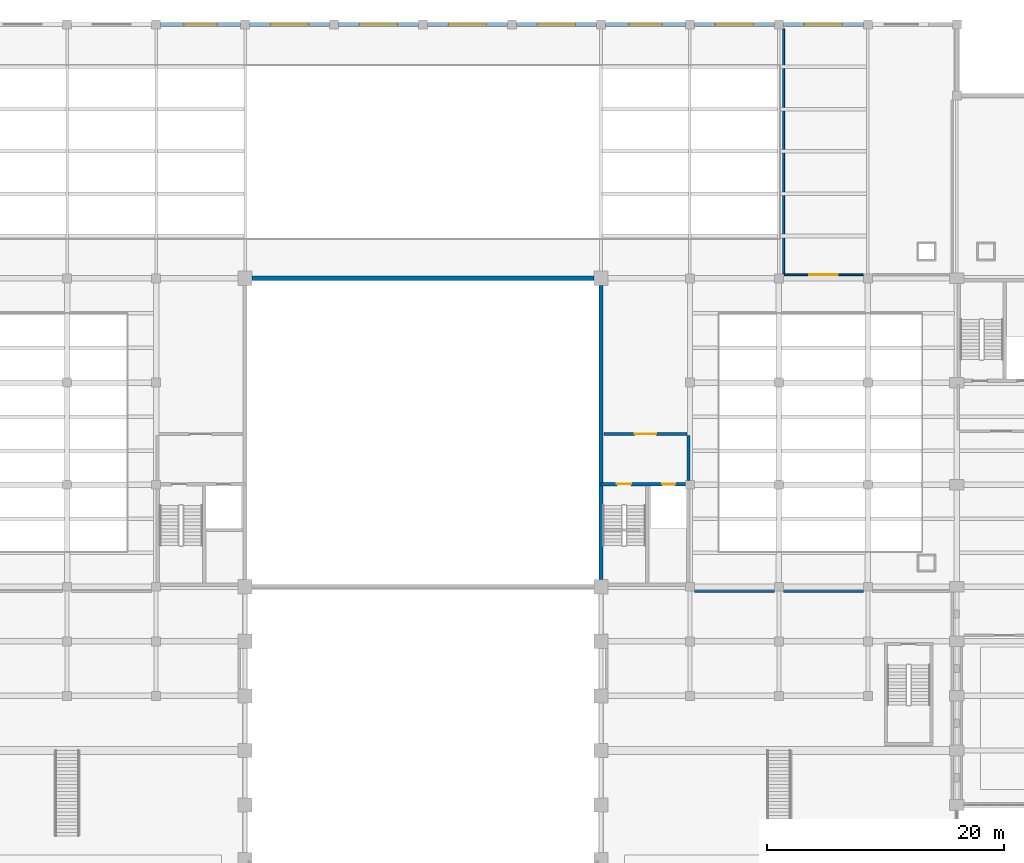
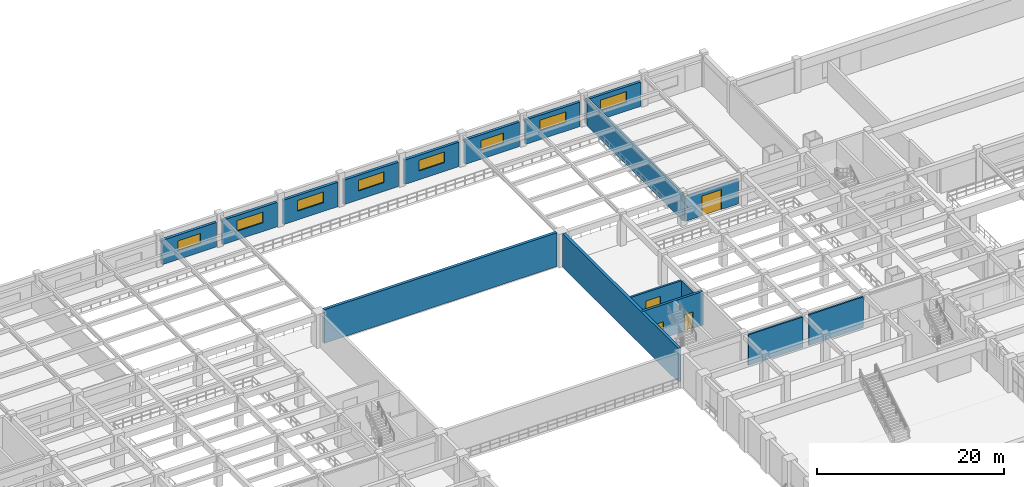
# One storey, part 100 of 116: 17 walls, 8 windows, 4 doors, 12 openings.
"""IFC4 building model written with IfcOpenShell, lengths in metres."""

from ifc_helpers import new_model, si_unit, direction, frame, frame_2d, origin, place, context, subcontext, project, spatial, rectangle, extrude, material, layer, layer_set, type_object, element, fill, save


model = new_model("IFC4")

# Units and contexts
model_context = context("Model", 3, precision=1e-05, world=origin(), true_north=direction((0.0, 1.0)))
body_context = subcontext(model_context, "Body", "Model", "MODEL_VIEW")
ifc_project = project(units=[si_unit("LENGTHUNIT", "METRE"), si_unit("AREAUNIT", "SQUARE_METRE"), si_unit("VOLUMEUNIT", "CUBIC_METRE"), si_unit("PLANEANGLEUNIT", "RADIAN"), si_unit("MASSUNIT", "GRAM", prefix="KILO")], contexts=[model_context])

# Site, building, storey
site_placement = place(None, origin())
site = spatial("IfcSite", under=ifc_project, at=site_placement, CompositionType="ELEMENT")
building_placement = place(site_placement, origin())
building = spatial("IfcBuilding", under=site, at=building_placement, Name="Muzn Square Opera House", CompositionType="ELEMENT")
storey_placement = place(building_placement, frame((0.0, 0.0, 5.39990234375)))
storey = spatial("IfcBuildingStorey", under=building, at=storey_placement, Name="L01", CompositionType="ELEMENT", Elevation=5.39990234375)

# Wall, openings, doors
ifc_material_1 = material(Name="Concrete C45/55", Category="concrete")
ifc_layer_1 = layer(ifc_material_1, 0.300048828125, Name="Concrete C45/55", Category="concrete")
ifc_layer_set_1 = layer_set([ifc_layer_1], Name="Concrete C45/55")
wall_type_1 = type_object("IfcWallType", Name="Core Shear Wall 300mm", PredefinedType="SHEAR", material=ifc_layer_set_1)
wall_1_placement = place(storey_placement, frame((103.0, 81.25, 0.0), z_axis=(0.0, 0.0, 1.0), x_axis=(1.0, 0.0, 0.0)))
wall_1 = element("IfcWall", 1, at=wall_1_placement, inside=storey, type_object=wall_type_1, Name="Core C2 Front Shear Wall L01", PredefinedType="SHEAR", context=body_context, shape_type="SweptSolid", body=[
    extrude(rectangle(XDim=7.5, YDim=0.300048828125, at=frame_2d((3.75, 0.0))), origin(), (0.0, 0.0, 1.0), 4.400146484375),
])
opening_1_placement = place(wall_1_placement, frame((1.35009765625, 0.0, 0.0)))
opening_1 = element("IfcOpeningElement", 2, at=opening_1_placement, cuts=wall_1, Name="Opening DR-ST12", PredefinedType="OPENING", context=body_context, shape_type="SweptSolid", body=[
    extrude(rectangle(XDim=1.199951171875, YDim=2.14990234375, at=frame_2d((0.60009765625, 1.074951171875))), frame((0.0, 0.159912109375, 0.0), z_axis=(0.0, -1.0, 0.0), x_axis=(1.0, 0.0, 0.0)), (0.0, 0.0, 1.0), 0.320068359375),
])
opening_2_placement = place(wall_1_placement, frame((5.14990234375, 0.0, 0.0)))
opening_2 = element("IfcOpeningElement", 3, at=opening_2_placement, cuts=wall_1, Name="Opening LD-01", PredefinedType="OPENING", context=body_context, shape_type="SweptSolid", body=[
    extrude(rectangle(XDim=1.10009765625, YDim=2.14990234375, at=frame_2d((0.550048828125, 1.074951171875))), frame((0.0, 0.159912109375, 0.0), z_axis=(0.0, -1.0, 0.0), x_axis=(1.0, 0.0, 0.0)), (0.0, 0.0, 1.0), 0.320068359375),
])
ifc_material_2 = material(Name="Galvanised painted steel leaf", Category="metal")
door_type_1 = type_object("IfcDoorType", Name="Core Stair Fire Door 1200x2150", OperationType="NOTDEFINED", PredefinedType="DOOR", material=ifc_material_2)
door_1_placement = place(opening_1_placement, origin())
door_1 = element("IfcDoor", 4, at=door_1_placement, inside=storey, type_object=door_type_1, Name="Core C2 Stair Door L01", OperationType="SINGLE_SWING_RIGHT", OverallHeight=2.14990234375, OverallWidth=1.199951171875, PredefinedType="DOOR", context=body_context, shape_type="SweptSolid", body=[
    extrude(rectangle(XDim=1.199951171875, YDim=2.14990234375, at=frame_2d((0.60009765625, 1.074951171875))), frame((0.0, 0.02490234375, 0.0), z_axis=(0.0, -1.0, 0.0), x_axis=(1.0, 0.0, 0.0)), (0.0, 0.0, 1.0), 0.050048828125),
])
fill(opening_1, door_1)
ifc_material_3 = material(Name="Brushed stainless steel", Category="metal")
door_type_2 = type_object("IfcDoorType", Name="Lift Landing Sliding Door 1100x2150", OperationType="SLIDING_TO_LEFT", PredefinedType="DOOR", material=ifc_material_3)
door_2_placement = place(opening_2_placement, origin())
door_2 = element("IfcDoor", 5, at=door_2_placement, inside=storey, type_object=door_type_2, Name="Lift FFL-2 Sliding Landing Door L01", OperationType="SLIDING_TO_LEFT", OverallHeight=2.14990234375, OverallWidth=1.10009765625, PredefinedType="DOOR", context=body_context, shape_type="SweptSolid", body=[
    extrude(rectangle(XDim=1.10009765625, YDim=2.14990234375, at=frame_2d((0.550048828125, 1.074951171875))), frame((0.0, 0.02490234375, 0.0), z_axis=(0.0, -1.0, 0.0), x_axis=(1.0, 0.0, 0.0)), (0.0, 0.0, 1.0), 0.050048828125),
])
fill(opening_2, door_2)

# Walls
ifc_material_4 = material(Name="Acoustic gypsum stud partition", Category="gypsum")
ifc_layer_2 = layer(ifc_material_4, 0.199951171875, Name="Acoustic gypsum stud partition", Category="gypsum")
ifc_layer_set_2 = layer_set([ifc_layer_2], Name="Acoustic gypsum stud partition")
wall_type_2 = type_object("IfcWallType", Name="Corridor Rated Partition 200mm", PredefinedType="PARTITIONING", material=ifc_layer_set_2)
for number, where, z_axis, x_axis, name in (
    (6, (110.8798828125, 72.199951171875, 0.0), (0.0, 0.0, 1.0), (1.0, 0.0, 0.0), "Room Enclosure Partition PW-L01-0200"),
    (7, (118.3798828125, 72.199951171875, 0.0), (0.0, 0.0, 1.0), (1.0, 0.0, 0.0), "Room Enclosure Partition PW-L01-0201"),
):
    element("IfcWall", number, at=place(storey_placement, frame(where, z_axis=z_axis, x_axis=x_axis)), inside=storey, type_object=wall_type_2, Name=name, PredefinedType="PARTITIONING", context=body_context, shape_type="SweptSolid", body=[
        extrude(rectangle(XDim=6.740234375, YDim=0.199951171875, at=frame_2d((3.3701171875, 0.0))), origin(), (0.0, 0.0, 1.0), 4.02001953125),
    ])

# Wall, opening, window
ifc_material_5 = material(Name="Concrete C40/50", Category="concrete")
ifc_layer_3 = layer(ifc_material_5, 0.340087890625, Name="Concrete C40/50", Category="concrete")
ifc_layer_set_3 = layer_set([ifc_layer_3], Name="Concrete C40/50")
wall_type_3 = type_object("IfcWallType", Name="Exterior Insulated Spandrel Wall 340mm", PredefinedType="SOLIDWALL", material=ifc_layer_set_3)
wall_2_placement = place(storey_placement, frame((65.875, 120.0, 0.0), z_axis=(0.0, 0.0, 1.0), x_axis=(1.0, 0.0, 0.0)))
wall_2 = element("IfcWall", 8, at=wall_2_placement, inside=storey, type_object=wall_type_3, Name="Exterior Facade Wall EW-L01-048", PredefinedType="SOLIDWALL", context=body_context, shape_type="SweptSolid", body=[
    extrude(rectangle(XDim=6.75, YDim=0.340087890625, at=frame_2d((3.375, 0.0))), origin(), (0.0, 0.0, 1.0), 3.2001953125),
])
opening_3_placement = place(wall_2_placement, frame((1.97509765625, 0.0, 1.14990234375)))
opening_3 = element("IfcOpeningElement", 9, at=opening_3_placement, cuts=wall_2, Name="Opening WN-S2813", PredefinedType="OPENING", context=body_context, shape_type="SweptSolid", body=[
    extrude(rectangle(XDim=2.800048828125, YDim=1.300048828125, at=frame_2d((1.39990234375, 0.64990234375))), frame((0.0, 0.179931640625, 0.0), z_axis=(0.0, -1.0, 0.0), x_axis=(1.0, 0.0, 0.0)), (0.0, 0.0, 1.0), 0.360107421875),
])
ifc_material_6 = material(Name="Low-E laminated acoustic double glazing", Category="glass")
window_type_1 = type_object("IfcWindowType", Name="Scenery Clerestory Window 2800x1300", PartitioningType="DOUBLE_PANEL_HORIZONTAL", PredefinedType="WINDOW", material=ifc_material_6)
window_1_placement = place(opening_3_placement, origin())
window_1 = element("IfcWindow", 10, at=window_1_placement, inside=storey, type_object=window_type_1, Name="Scenery Clerestory Window 2800x1300 EW-L01-048-WN01", OverallHeight=1.300048828125, OverallWidth=2.800048828125, PartitioningType="SINGLE_PANEL", PredefinedType="WINDOW", context=body_context, shape_type="SweptSolid", body=[
    extrude(rectangle(XDim=2.800048828125, YDim=1.300048828125, at=frame_2d((1.39990234375, 0.64990234375))), frame((0.0, 0.030029296875, 0.0), z_axis=(0.0, -1.0, 0.0), x_axis=(1.0, 0.0, 0.0)), (0.0, 0.0, 1.0), 0.06005859375),
])
fill(opening_3, window_1)

wall_3_placement = place(storey_placement, frame((73.375, 120.0, 0.0), z_axis=(0.0, 0.0, 1.0), x_axis=(1.0, 0.0, 0.0)))
wall_3 = element("IfcWall", 11, at=wall_3_placement, inside=storey, type_object=wall_type_3, Name="Exterior Facade Wall EW-L01-049", PredefinedType="SOLIDWALL", context=body_context, shape_type="SweptSolid", body=[
    extrude(rectangle(XDim=6.75, YDim=0.340087890625, at=frame_2d((3.375, 0.0))), origin(), (0.0, 0.0, 1.0), 3.2001953125),
])
opening_4_placement = place(wall_3_placement, frame((1.77490234375, 0.0, 1.14990234375)))
opening_4 = element("IfcOpeningElement", 12, at=opening_4_placement, cuts=wall_3, Name="Opening WN-S3214", PredefinedType="OPENING", context=body_context, shape_type="SweptSolid", body=[
    extrude(rectangle(XDim=3.199951171875, YDim=1.39990234375, at=frame_2d((1.60009765625, 0.699951171875))), frame((0.0, 0.179931640625, 0.0), z_axis=(0.0, -1.0, 0.0), x_axis=(1.0, 0.0, 0.0)), (0.0, 0.0, 1.0), 0.360107421875),
])
window_type_2 = type_object("IfcWindowType", Name="Scenery Clerestory Window 3200x1400", PartitioningType="TRIPLE_PANEL_VERTICAL", PredefinedType="WINDOW", material=ifc_material_6)
window_2_placement = place(opening_4_placement, origin())
window_2 = element("IfcWindow", 13, at=window_2_placement, inside=storey, type_object=window_type_2, Name="Scenery Clerestory Window 3200x1400 EW-L01-049-WN01", OverallHeight=1.39990234375, OverallWidth=3.199951171875, PartitioningType="SINGLE_PANEL", PredefinedType="WINDOW", context=body_context, shape_type="SweptSolid", body=[
    extrude(rectangle(XDim=3.199951171875, YDim=1.39990234375, at=frame_2d((1.60009765625, 0.699951171875))), frame((0.0, 0.030029296875, 0.0), z_axis=(0.0, -1.0, 0.0), x_axis=(1.0, 0.0, 0.0)), (0.0, 0.0, 1.0), 0.06005859375),
])
fill(opening_4, window_2)

wall_4_placement = place(storey_placement, frame((80.875, 120.0, 0.0), z_axis=(0.0, 0.0, 1.0), x_axis=(1.0, 0.0, 0.0)))
wall_4 = element("IfcWall", 14, at=wall_4_placement, inside=storey, type_object=wall_type_3, Name="Exterior Facade Wall EW-L01-050", PredefinedType="SOLIDWALL", context=body_context, shape_type="SweptSolid", body=[
    extrude(rectangle(XDim=6.75, YDim=0.340087890625, at=frame_2d((3.375, 0.0))), origin(), (0.0, 0.0, 1.0), 3.2001953125),
])
opening_5_placement = place(wall_4_placement, frame((1.77490234375, 0.0, 1.14990234375)))
opening_5 = element("IfcOpeningElement", 15, at=opening_5_placement, cuts=wall_4, Name="Opening WN-S3214", PredefinedType="OPENING", context=body_context, shape_type="SweptSolid", body=[
    extrude(rectangle(XDim=3.199951171875, YDim=1.39990234375, at=frame_2d((1.60009765625, 0.699951171875))), frame((0.0, 0.179931640625, 0.0), z_axis=(0.0, -1.0, 0.0), x_axis=(1.0, 0.0, 0.0)), (0.0, 0.0, 1.0), 0.360107421875),
])
window_3_placement = place(opening_5_placement, origin())
window_3 = element("IfcWindow", 16, at=window_3_placement, inside=storey, type_object=window_type_2, Name="Scenery Clerestory Window 3200x1400 EW-L01-050-WN01", OverallHeight=1.39990234375, OverallWidth=3.199951171875, PartitioningType="SINGLE_PANEL", PredefinedType="WINDOW", context=body_context, shape_type="SweptSolid", body=[
    extrude(rectangle(XDim=3.199951171875, YDim=1.39990234375, at=frame_2d((1.60009765625, 0.699951171875))), frame((0.0, 0.030029296875, 0.0), z_axis=(0.0, -1.0, 0.0), x_axis=(1.0, 0.0, 0.0)), (0.0, 0.0, 1.0), 0.06005859375),
])
fill(opening_5, window_3)

wall_5_placement = place(storey_placement, frame((88.375, 120.0, 0.0), z_axis=(0.0, 0.0, 1.0), x_axis=(1.0, 0.0, 0.0)))
wall_5 = element("IfcWall", 17, at=wall_5_placement, inside=storey, type_object=wall_type_3, Name="Exterior Facade Wall EW-L01-051", PredefinedType="SOLIDWALL", context=body_context, shape_type="SweptSolid", body=[
    extrude(rectangle(XDim=6.75, YDim=0.340087890625, at=frame_2d((3.375, 0.0))), origin(), (0.0, 0.0, 1.0), 3.2001953125),
])
opening_6_placement = place(wall_5_placement, frame((1.77490234375, 0.0, 1.14990234375)))
opening_6 = element("IfcOpeningElement", 18, at=opening_6_placement, cuts=wall_5, Name="Opening WN-S3214", PredefinedType="OPENING", context=body_context, shape_type="SweptSolid", body=[
    extrude(rectangle(XDim=3.199951171875, YDim=1.39990234375, at=frame_2d((1.60009765625, 0.699951171875))), frame((0.0, 0.179931640625, 0.0), z_axis=(0.0, -1.0, 0.0), x_axis=(1.0, 0.0, 0.0)), (0.0, 0.0, 1.0), 0.360107421875),
])
window_4_placement = place(opening_6_placement, origin())
window_4 = element("IfcWindow", 19, at=window_4_placement, inside=storey, type_object=window_type_2, Name="Scenery Clerestory Window 3200x1400 EW-L01-051-WN01", OverallHeight=1.39990234375, OverallWidth=3.199951171875, PartitioningType="SINGLE_PANEL", PredefinedType="WINDOW", context=body_context, shape_type="SweptSolid", body=[
    extrude(rectangle(XDim=3.199951171875, YDim=1.39990234375, at=frame_2d((1.60009765625, 0.699951171875))), frame((0.0, 0.030029296875, 0.0), z_axis=(0.0, -1.0, 0.0), x_axis=(1.0, 0.0, 0.0)), (0.0, 0.0, 1.0), 0.06005859375),
])
fill(opening_6, window_4)

wall_6_placement = place(storey_placement, frame((95.875, 120.0, 0.0), z_axis=(0.0, 0.0, 1.0), x_axis=(1.0, 0.0, 0.0)))
wall_6 = element("IfcWall", 20, at=wall_6_placement, inside=storey, type_object=wall_type_3, Name="Exterior Facade Wall EW-L01-052", PredefinedType="SOLIDWALL", context=body_context, shape_type="SweptSolid", body=[
    extrude(rectangle(XDim=6.75, YDim=0.340087890625, at=frame_2d((3.375, 0.0))), origin(), (0.0, 0.0, 1.0), 3.2001953125),
])
opening_7_placement = place(wall_6_placement, frame((1.77490234375, 0.0, 1.14990234375)))
opening_7 = element("IfcOpeningElement", 21, at=opening_7_placement, cuts=wall_6, Name="Opening WN-S3214", PredefinedType="OPENING", context=body_context, shape_type="SweptSolid", body=[
    extrude(rectangle(XDim=3.199951171875, YDim=1.39990234375, at=frame_2d((1.60009765625, 0.699951171875))), frame((0.0, 0.179931640625, 0.0), z_axis=(0.0, -1.0, 0.0), x_axis=(1.0, 0.0, 0.0)), (0.0, 0.0, 1.0), 0.360107421875),
])
window_5_placement = place(opening_7_placement, origin())
window_5 = element("IfcWindow", 22, at=window_5_placement, inside=storey, type_object=window_type_2, Name="Scenery Clerestory Window 3200x1400 EW-L01-052-WN01", OverallHeight=1.39990234375, OverallWidth=3.199951171875, PartitioningType="SINGLE_PANEL", PredefinedType="WINDOW", context=body_context, shape_type="SweptSolid", body=[
    extrude(rectangle(XDim=3.199951171875, YDim=1.39990234375, at=frame_2d((1.60009765625, 0.699951171875))), frame((0.0, 0.030029296875, 0.0), z_axis=(0.0, -1.0, 0.0), x_axis=(1.0, 0.0, 0.0)), (0.0, 0.0, 1.0), 0.06005859375),
])
fill(opening_7, window_5)

wall_7_placement = place(storey_placement, frame((103.375, 120.0, 0.0), z_axis=(0.0, 0.0, 1.0), x_axis=(1.0, 0.0, 0.0)))
wall_7 = element("IfcWall", 23, at=wall_7_placement, inside=storey, type_object=wall_type_3, Name="Exterior Facade Wall EW-L01-053", PredefinedType="SOLIDWALL", context=body_context, shape_type="SweptSolid", body=[
    extrude(rectangle(XDim=6.75, YDim=0.340087890625, at=frame_2d((3.375, 0.0))), origin(), (0.0, 0.0, 1.0), 3.2001953125),
])
opening_8_placement = place(wall_7_placement, frame((1.97509765625, 0.0, 1.14990234375)))
opening_8 = element("IfcOpeningElement", 24, at=opening_8_placement, cuts=wall_7, Name="Opening WN-S2813", PredefinedType="OPENING", context=body_context, shape_type="SweptSolid", body=[
    extrude(rectangle(XDim=2.800048828125, YDim=1.300048828125, at=frame_2d((1.39990234375, 0.64990234375))), frame((0.0, 0.179931640625, 0.0), z_axis=(0.0, -1.0, 0.0), x_axis=(1.0, 0.0, 0.0)), (0.0, 0.0, 1.0), 0.360107421875),
])
window_6_placement = place(opening_8_placement, origin())
window_6 = element("IfcWindow", 25, at=window_6_placement, inside=storey, type_object=window_type_1, Name="Scenery Clerestory Window 2800x1300 EW-L01-053-WN01", OverallHeight=1.300048828125, OverallWidth=2.800048828125, PartitioningType="SINGLE_PANEL", PredefinedType="WINDOW", context=body_context, shape_type="SweptSolid", body=[
    extrude(rectangle(XDim=2.800048828125, YDim=1.300048828125, at=frame_2d((1.39990234375, 0.64990234375))), frame((0.0, 0.030029296875, 0.0), z_axis=(0.0, -1.0, 0.0), x_axis=(1.0, 0.0, 0.0)), (0.0, 0.0, 1.0), 0.06005859375),
])
fill(opening_8, window_6)

wall_8_placement = place(storey_placement, frame((110.875, 120.0, 0.0), z_axis=(0.0, 0.0, 1.0), x_axis=(1.0, 0.0, 0.0)))
wall_8 = element("IfcWall", 26, at=wall_8_placement, inside=storey, type_object=wall_type_3, Name="Exterior Facade Wall EW-L01-054", PredefinedType="SOLIDWALL", context=body_context, shape_type="SweptSolid", body=[
    extrude(rectangle(XDim=6.75, YDim=0.340087890625, at=frame_2d((3.375, 0.0))), origin(), (0.0, 0.0, 1.0), 3.2001953125),
])
opening_9_placement = place(wall_8_placement, frame((1.77490234375, 0.0, 1.14990234375)))
opening_9 = element("IfcOpeningElement", 27, at=opening_9_placement, cuts=wall_8, Name="Opening WN-S3214", PredefinedType="OPENING", context=body_context, shape_type="SweptSolid", body=[
    extrude(rectangle(XDim=3.199951171875, YDim=1.39990234375, at=frame_2d((1.60009765625, 0.699951171875))), frame((0.0, 0.179931640625, 0.0), z_axis=(0.0, -1.0, 0.0), x_axis=(1.0, 0.0, 0.0)), (0.0, 0.0, 1.0), 0.360107421875),
])
window_7_placement = place(opening_9_placement, origin())
window_7 = element("IfcWindow", 28, at=window_7_placement, inside=storey, type_object=window_type_2, Name="Scenery Clerestory Window 3200x1400 EW-L01-054-WN01", OverallHeight=1.39990234375, OverallWidth=3.199951171875, PartitioningType="SINGLE_PANEL", PredefinedType="WINDOW", context=body_context, shape_type="SweptSolid", body=[
    extrude(rectangle(XDim=3.199951171875, YDim=1.39990234375, at=frame_2d((1.60009765625, 0.699951171875))), frame((0.0, 0.030029296875, 0.0), z_axis=(0.0, -1.0, 0.0), x_axis=(1.0, 0.0, 0.0)), (0.0, 0.0, 1.0), 0.06005859375),
])
fill(opening_9, window_7)

wall_9_placement = place(storey_placement, frame((118.375, 120.0, 0.0), z_axis=(0.0, 0.0, 1.0), x_axis=(1.0, 0.0, 0.0)))
wall_9 = element("IfcWall", 29, at=wall_9_placement, inside=storey, type_object=wall_type_3, Name="Exterior Facade Wall EW-L01-055", PredefinedType="SOLIDWALL", context=body_context, shape_type="SweptSolid", body=[
    extrude(rectangle(XDim=6.75, YDim=0.340087890625, at=frame_2d((3.375, 0.0))), origin(), (0.0, 0.0, 1.0), 3.2001953125),
])
opening_10_placement = place(wall_9_placement, frame((1.77490234375, 0.0, 1.14990234375)))
opening_10 = element("IfcOpeningElement", 30, at=opening_10_placement, cuts=wall_9, Name="Opening WN-S3214", PredefinedType="OPENING", context=body_context, shape_type="SweptSolid", body=[
    extrude(rectangle(XDim=3.199951171875, YDim=1.39990234375, at=frame_2d((1.60009765625, 0.699951171875))), frame((0.0, 0.179931640625, 0.0), z_axis=(0.0, -1.0, 0.0), x_axis=(1.0, 0.0, 0.0)), (0.0, 0.0, 1.0), 0.360107421875),
])
window_8_placement = place(opening_10_placement, origin())
window_8 = element("IfcWindow", 31, at=window_8_placement, inside=storey, type_object=window_type_2, Name="Scenery Clerestory Window 3200x1400 EW-L01-055-WN01", OverallHeight=1.39990234375, OverallWidth=3.199951171875, PartitioningType="SINGLE_PANEL", PredefinedType="WINDOW", context=body_context, shape_type="SweptSolid", body=[
    extrude(rectangle(XDim=3.199951171875, YDim=1.39990234375, at=frame_2d((1.60009765625, 0.699951171875))), frame((0.0, 0.030029296875, 0.0), z_axis=(0.0, -1.0, 0.0), x_axis=(1.0, 0.0, 0.0)), (0.0, 0.0, 1.0), 0.06005859375),
])
fill(opening_10, window_8)

# Wall, opening, door
ifc_layer_4 = layer(ifc_material_5, 0.239990234375, Name="Concrete C40/50", Category="concrete")
ifc_layer_set_4 = layer_set([ifc_layer_4], Name="Concrete C40/50")
wall_type_4 = type_object("IfcWallType", Name="Firefighting Lobby Wall 240mm", PredefinedType="SOLIDWALL", material=ifc_layer_set_4)
wall_10_placement = place(storey_placement, frame((103.239990234375, 85.47998046875, 0.0), z_axis=(0.0, 0.0, 1.0), x_axis=(1.0, 0.0, 0.0)))
wall_10 = element("IfcWall", 32, at=wall_10_placement, inside=storey, type_object=wall_type_4, Name="Lobby C2 Enclosure Wall L01", PredefinedType="SOLIDWALL", context=body_context, shape_type="SweptSolid", body=[
    extrude(rectangle(XDim=7.02001953125, YDim=0.239990234375, at=frame_2d((3.510009765625, 0.0))), origin(), (0.0, 0.0, 1.0), 3.300048828125),
])
opening_11_placement = place(wall_10_placement, frame((2.610107421875, 0.0, 0.0)))
opening_11 = element("IfcOpeningElement", 33, at=opening_11_placement, cuts=wall_10, Name="Opening DR-FL18", PredefinedType="OPENING", context=body_context, shape_type="SweptSolid", body=[
    extrude(rectangle(XDim=1.800048828125, YDim=2.179931640625, at=frame_2d((0.89990234375, 1.08984375))), frame((0.0, 0.1298828125, 0.0), z_axis=(0.0, -1.0, 0.0), x_axis=(1.0, 0.0, 0.0)), (0.0, 0.0, 1.0), 0.260009765625),
])
door_type_3 = type_object("IfcDoorType", Name="Firefighting Lobby Double Door 1800x2180", OperationType="DOUBLE_DOOR_SINGLE_SWING", PredefinedType="DOOR", material=ifc_material_2)
door_3_placement = place(opening_11_placement, origin())
door_3 = element("IfcDoor", 34, at=door_3_placement, inside=storey, type_object=door_type_3, Name="Lobby C2 Fire Door L01", OperationType="DOUBLE_DOOR_SINGLE_SWING", OverallHeight=2.179931640625, OverallWidth=1.800048828125, PredefinedType="DOOR", context=body_context, shape_type="SweptSolid", body=[
    extrude(rectangle(XDim=1.800048828125, YDim=2.179931640625, at=frame_2d((0.89990234375, 1.08984375))), frame((0.0, 0.02490234375, 0.0), z_axis=(0.0, -1.0, 0.0), x_axis=(1.0, 0.0, 0.0)), (0.0, 0.0, 1.0), 0.050048828125),
])
fill(opening_11, door_3)

# Walls
wall_11_placement = place(storey_placement, frame((110.3798828125, 81.550048828125, 0.0), z_axis=(0.0, 0.0, 1.0), x_axis=(0.0, 1.0, 0.0)))
element("IfcWall", 35, at=wall_11_placement, inside=storey, type_object=wall_type_4, Name="Lobby C2 Side Wall E L01", PredefinedType="SOLIDWALL", context=body_context, shape_type="SweptSolid", body=[
    extrude(rectangle(XDim=3.81005859375, YDim=0.239990234375, at=frame_2d((1.905029296875, 0.0))), origin(), (0.0, 0.0, 1.0), 3.300048828125),
])
ifc_layer_5 = layer(ifc_material_1, 0.35009765625, Name="Concrete C45/55", Category="concrete")
ifc_layer_set_5 = layer_set([ifc_layer_5], Name="Concrete C45/55")
wall_type_5 = type_object("IfcWallType", Name="Fly Tower Shear Wall 350mm", PredefinedType="SHEAR", material=ifc_layer_set_5)
wall_12_placement = place(storey_placement, frame((103.0, 73.18994140625, 0.0), z_axis=(0.0, 0.0, 1.0), x_axis=(0.0, 1.0, 0.0)))
element("IfcWall", 36, at=wall_12_placement, inside=storey, type_object=wall_type_5, Name="Fly Tower Shear Wall FTW-L01-E", PredefinedType="SHEAR", context=body_context, shape_type="SweptSolid", body=[
    extrude(rectangle(XDim=24.820068359375, YDim=0.35009765625, at=frame_2d((12.41015625, 0.0))), origin(), (0.0, 0.0, 1.0), 4.400146484375),
])
wall_13_placement = place(storey_placement, frame((73.590087890625, 98.60009765625, 0.0), z_axis=(0.0, 0.0, 1.0), x_axis=(1.0, 0.0, 0.0)))
element("IfcWall", 37, at=wall_13_placement, inside=storey, type_object=wall_type_5, Name="Fly Tower Shear Wall FTW-L01-N", PredefinedType="SHEAR", context=body_context, shape_type="SweptSolid", body=[
    extrude(rectangle(XDim=28.81982421875, YDim=0.35009765625, at=frame_2d((14.409912109375, 0.0))), origin(), (0.0, 0.0, 1.0), 4.400146484375),
])

# Wall, opening, door
ifc_layer_6 = layer(ifc_material_4, 0.159912109375, Name="Acoustic gypsum stud partition", Category="gypsum")
ifc_layer_set_6 = layer_set([ifc_layer_6], Name="Acoustic gypsum stud partition")
wall_type_6 = type_object("IfcWallType", Name="Workshop Rated Partition 160mm", PredefinedType="PARTITIONING", material=ifc_layer_set_6)
wall_14_placement = place(storey_placement, frame((118.465087890625, 98.89990234375, 0.0), z_axis=(0.0, 0.0, 1.0), x_axis=(1.0, 0.0, 0.0)))
wall_14 = element("IfcWall", 38, at=wall_14_placement, inside=storey, type_object=wall_type_6, Name="Interior Partition PW-L01-0188", PredefinedType="PARTITIONING", context=body_context, shape_type="SweptSolid", body=[
    extrude(rectangle(XDim=6.639892578125, YDim=0.159912109375, at=frame_2d((3.31982421875, 0.0))), origin(), (0.0, 0.0, 1.0), 3.300048828125),
])
opening_12_placement = place(wall_14_placement, frame((2.08740234375, 0.0, 0.0)))
opening_12 = element("IfcOpeningElement", 39, at=opening_12_placement, cuts=wall_14, Name="Opening DR-SC24", PredefinedType="OPENING", context=body_context, shape_type="SweptSolid", body=[
    extrude(rectangle(XDim=2.39990234375, YDim=2.60009765625, at=frame_2d((1.199951171875, 1.300048828125))), frame((0.0, 0.08984375, 0.0), z_axis=(0.0, -1.0, 0.0), x_axis=(1.0, 0.0, 0.0)), (0.0, 0.0, 1.0), 0.179931640625),
])
door_type_4 = type_object("IfcDoorType", Name="Stage Scenery Double Door 2400x2600", OperationType="DOUBLE_DOOR_SINGLE_SWING", PredefinedType="DOOR", material=ifc_material_2)
door_4_placement = place(opening_12_placement, origin())
door_4 = element("IfcDoor", 40, at=door_4_placement, inside=storey, type_object=door_type_4, Name="Stage Electrics Workshop Door DR-L01-0069", OperationType="DOUBLE_DOOR_SINGLE_SWING", OverallHeight=2.60009765625, OverallWidth=2.39990234375, PredefinedType="DOOR", context=body_context, shape_type="SweptSolid", body=[
    extrude(rectangle(XDim=2.39990234375, YDim=2.60009765625, at=frame_2d((1.199951171875, 1.300048828125))), frame((0.0, 0.02490234375, 0.0), z_axis=(0.0, -1.0, 0.0), x_axis=(1.0, 0.0, 0.0)), (0.0, 0.0, 1.0), 0.050048828125),
])
fill(opening_12, door_4)

# Wall
wall_15_placement = place(storey_placement, frame((118.39990234375, 99.0, 0.0), z_axis=(0.0, 0.0, 1.0), x_axis=(0.0, 1.0, 0.0)))
element("IfcWall", 41, at=wall_15_placement, inside=storey, type_object=wall_type_6, Name="Room Enclosure Partition PW-L01-0246", PredefinedType="PARTITIONING", context=body_context, shape_type="SweptSolid", body=[
    extrude(rectangle(XDim=20.6201171875, YDim=0.159912109375, at=frame_2d((10.31005859375, 0.0))), origin(), (0.0, 0.0, 1.0), 3.60009765625),
])

save(model, "model.ifc")
